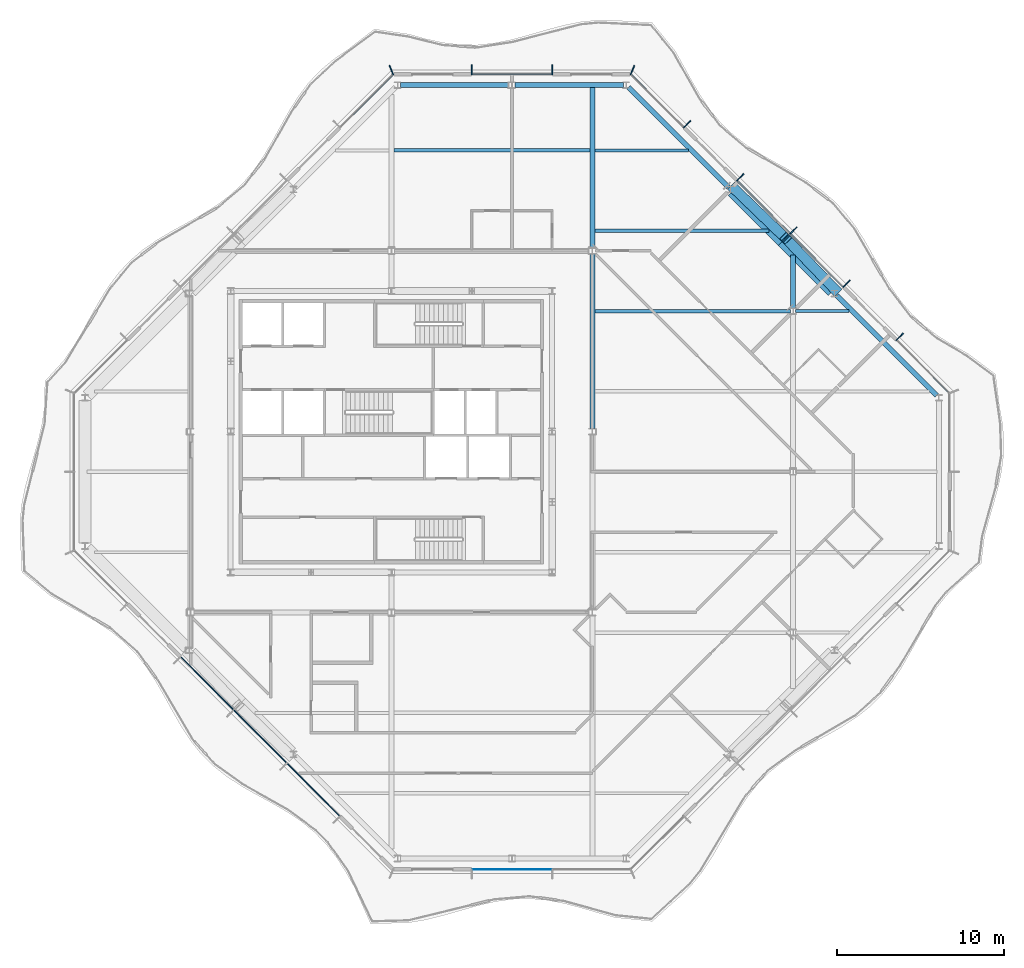
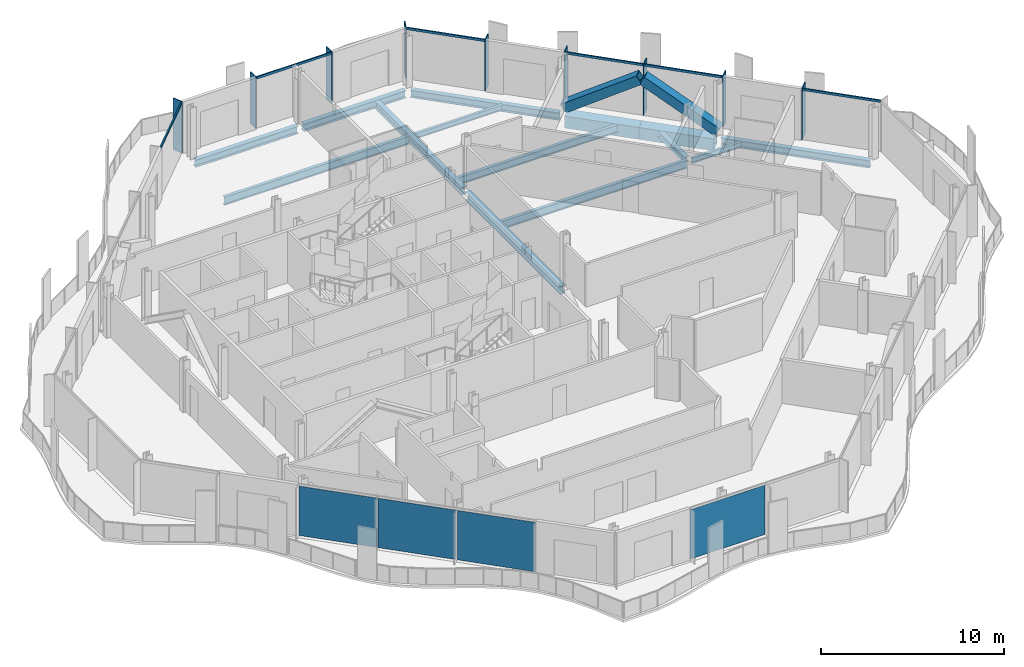
# One storey, part 5 of 16: 17 members, 14 beams, 4 plates, 5 elements without a shape of their own.
"""IFC4 building model written with IfcOpenShell, lengths in metres."""

from ifc_helpers import new_model, si_unit, direction, frame, origin, origin_2d, place, context, subcontext, project, spatial, rectangle, hollow_rectangle, i_section, extrude, material, layer, layer_set, material_profile, profile_set, type_object, element, aggregate, save


model = new_model("IFC4")

# Units and contexts
model_context = context("Model", 3, precision=1e-05, world=origin(), true_north=direction((0.0, 1.0)))
body_context = subcontext(model_context, "Body", "Model", "MODEL_VIEW")
ifc_project = project(units=[si_unit("LENGTHUNIT", "METRE"), si_unit("AREAUNIT", "SQUARE_METRE"), si_unit("VOLUMEUNIT", "CUBIC_METRE"), si_unit("PLANEANGLEUNIT", "RADIAN"), si_unit("MASSUNIT", "GRAM", prefix="KILO")], contexts=[model_context])

# Site, building, storey
site_placement = place(None, origin())
site = spatial("IfcSite", under=ifc_project, at=site_placement, CompositionType="ELEMENT")
building_placement = place(site_placement, origin())
building = spatial("IfcBuilding", under=site, at=building_placement, Name="Cairn Pilgrim Tower", CompositionType="ELEMENT")
storey_placement = place(building_placement, frame((0.0, 0.0, 288.60009765625)))
storey = spatial("IfcBuildingStorey", under=building, at=storey_placement, Name="L74", CompositionType="ELEMENT", Elevation=288.60009765625)

# Members
ifc_material_1 = material(Name="Structural steel S460M", Category="steel")
ifc_material_profile_1 = material_profile(ifc_material_1, hollow_rectangle(XDim=0.60009765625, YDim=0.60009765625, WallThickness=0.034912109375, at=origin_2d()), Name="BOX 600x600x35")
ifc_profile_set_1 = profile_set([ifc_material_profile_1], Name="Structural steel S460M")
member_type_1 = type_object("IfcMemberType", Name="BOX 600x600x35 BRACE", PredefinedType="BRACE", material=ifc_profile_set_1)
for number, where, z_axis, x_axis, name in (
    (1, (33.78759765625, 10.80224609375, 0.14990234375), (-0.59143769276, 0.613678385942, 0.52306815446), (-0.720033989027, -0.693938797478, 0.0), "XB-NE2-NE3-1"),
    (2, (27.602294921875, 16.98779296875, 0.14990234375), (0.613660799233, -0.591469196702, 0.523053164447), (0.693968270733, 0.720005582767, 0.0), "XB-NE2-NE3-2"),
):
    element("IfcMember", number, at=place(storey_placement, frame(where, z_axis=z_axis, x_axis=x_axis)), inside=storey, type_object=member_type_1, Name=name, PredefinedType="BRACE", context=body_context, shape_type="SweptSolid", body=[
        extrude(hollow_rectangle(XDim=0.60009765625, YDim=0.60009765625, WallThickness=0.034912109375, at=origin_2d()), origin(), (0.0, 0.0, 1.0), 5.03857421875),
    ])

# Beams
ifc_material_2 = material(Name="Structural steel S355J2", Category="steel")
ifc_material_profile_2 = material_profile(ifc_material_2, hollow_rectangle(XDim=0.699951171875, YDim=0.800048828125, WallThickness=0.0400390625, at=origin_2d()), Name="BOX 700x800x40")
ifc_profile_set_2 = profile_set([ifc_material_profile_2], Name="Structural steel S355J2")
beam_type_1 = type_object("IfcBeamType", Name="BOX 700x800x40 RING GIRDER", PredefinedType="SPANDREL", material=ifc_profile_set_2)
for number, where, z_axis, x_axis, name in (
    (3, (33.55126953125, 10.77587890625, -0.550048828125), (-0.707077889614, 0.707135671578, 0.0), (-0.707135671578, -0.707077889614, 0.0), "RG4-NE2-NE3-1"),
    (4, (30.563720703125, 13.763671875, -0.550048828125), (-0.707135671578, 0.707077889614, 0.0), (-0.707077889614, -0.707135671578, 0.0), "RG4-NE2-NE3-2"),
):
    element("IfcBeam", number, at=place(storey_placement, frame(where, z_axis=z_axis, x_axis=x_axis)), inside=storey, type_object=beam_type_1, Name=name, PredefinedType="SPANDREL", context=body_context, shape_type="SweptSolid", body=[
        extrude(hollow_rectangle(XDim=0.699951171875, YDim=0.800048828125, WallThickness=0.0400390625, at=origin_2d()), origin(), (0.0, 0.0, 1.0), 4.22509765625),
    ])

# Curtain wall, members
ifc_material_3 = material(Name="Aluminium alloy 6063-T6 bronze anodised with Bronze tinted laminated low-E glass 8+16+8.8", Category="aluminium")
curtain_wall_type = type_object("IfcCurtainWallType", Name="CROWN CURTAIN WALL", PredefinedType="NOTDEFINED", material=ifc_material_3)
curtain_wall_1_placement = place(storey_placement, origin())
curtain_wall_1 = element("IfcCurtainWall", 5, at=curtain_wall_1_placement, inside=storey, type_object=curtain_wall_type, Name="Crown Curtain Wall NE", PredefinedType="NOTDEFINED")
ifc_material_4 = material(Name="Aluminium alloy 6063-T6 bronze anodised", Category="aluminium")
ifc_material_profile_3 = material_profile(ifc_material_4, rectangle(XDim=0.60009765625, YDim=0.06005859375, at=origin_2d()), Name="FIN MULLION 60x600 BRONZE")
ifc_profile_set_3 = profile_set([ifc_material_profile_3], Name="Aluminium alloy 6063-T6 bronze anodised")
member_type_2 = type_object("IfcMemberType", Name="FIN MULLION 60x600 BRONZE", PredefinedType="MULLION", material=ifc_profile_set_3)
member_1_placement = place(storey_placement, frame((37.5654296875, 8.06298828125, 0.0), z_axis=(0.0, 0.0, 1.0), x_axis=(0.707106781187, 0.707106781187, 0.0)))
member_1 = element("IfcMember", 6, at=member_1_placement, type_object=member_type_2, Name="Fin mullion NE2", PredefinedType="MULLION", context=body_context, shape_type="SweptSolid", body=[
    extrude(rectangle(XDim=0.60009765625, YDim=0.06005859375, at=origin_2d()), origin(), (0.0, 0.0, 1.0), 3.449951171875),
])
member_2_placement = place(storey_placement, frame((34.3896484375, 11.238525390625, 0.0), z_axis=(0.0, 0.0, 1.0), x_axis=(0.707106781187, 0.707106781187, 0.0)))
member_2 = element("IfcMember", 7, at=member_2_placement, type_object=member_type_2, Name="Fin mullion NE3", PredefinedType="MULLION", context=body_context, shape_type="SweptSolid", body=[
    extrude(rectangle(XDim=0.60009765625, YDim=0.06005859375, at=origin_2d()), origin(), (0.0, 0.0, 1.0), 3.449951171875),
])
member_3_placement = place(storey_placement, frame((31.214111328125, 14.4140625, 0.0), z_axis=(0.0, 0.0, 1.0), x_axis=(0.707106781187, 0.707106781187, 0.0)))
member_3 = element("IfcMember", 8, at=member_3_placement, type_object=member_type_2, Name="Fin mullion NE4", PredefinedType="MULLION", context=body_context, shape_type="SweptSolid", body=[
    extrude(rectangle(XDim=0.60009765625, YDim=0.06005859375, at=origin_2d()), origin(), (0.0, 0.0, 1.0), 3.449951171875),
])
member_4_placement = place(storey_placement, frame((28.03857421875, 17.58984375, 0.0), z_axis=(0.0, 0.0, 1.0), x_axis=(0.707106781187, 0.707106781187, 0.0)))
member_4 = element("IfcMember", 9, at=member_4_placement, type_object=member_type_2, Name="Fin mullion NE5", PredefinedType="MULLION", context=body_context, shape_type="SweptSolid", body=[
    extrude(rectangle(XDim=0.60009765625, YDim=0.06005859375, at=origin_2d()), origin(), (0.0, 0.0, 1.0), 3.449951171875),
])
member_5_placement = place(storey_placement, frame((24.863037109375, 20.765380859375, 0.0), z_axis=(0.0, 0.0, 1.0), x_axis=(0.707106781187, 0.707106781187, 0.0)))
member_5 = element("IfcMember", 10, at=member_5_placement, type_object=member_type_2, Name="Fin mullion NE6", PredefinedType="MULLION", context=body_context, shape_type="SweptSolid", body=[
    extrude(rectangle(XDim=0.60009765625, YDim=0.06005859375, at=origin_2d()), origin(), (0.0, 0.0, 1.0), 3.449951171875),
])

curtain_wall_2_placement = place(storey_placement, origin())
curtain_wall_2 = element("IfcCurtainWall", 11, at=curtain_wall_2_placement, inside=storey, type_object=curtain_wall_type, Name="Crown Curtain Wall N", PredefinedType="NOTDEFINED")
member_6_placement = place(storey_placement, frame((21.599853515625, 23.99951171875, 0.0), z_axis=(0.0, 0.0, 1.0), x_axis=(0.382683432365, 0.923879532511, 0.0)))
member_6 = element("IfcMember", 12, at=member_6_placement, type_object=member_type_2, Name="Fin mullion N1", PredefinedType="MULLION", context=body_context, shape_type="SweptSolid", body=[
    extrude(rectangle(XDim=0.60009765625, YDim=0.06005859375, at=origin_2d()), origin(), (0.0, 0.0, 1.0), 3.449951171875),
])
member_7_placement = place(storey_placement, frame((16.800048828125, 24.02001953125, 0.0), z_axis=(0.0, 0.0, 1.0), x_axis=(0.0, 1.0, 0.0)))
member_7 = element("IfcMember", 13, at=member_7_placement, type_object=member_type_2, Name="Fin mullion N2", PredefinedType="MULLION", context=body_context, shape_type="SweptSolid", body=[
    extrude(rectangle(XDim=0.60009765625, YDim=0.06005859375, at=origin_2d()), origin(), (0.0, 0.0, 1.0), 3.449951171875),
])
member_8_placement = place(storey_placement, frame((12.0, 24.02001953125, 0.0), z_axis=(0.0, 0.0, 1.0), x_axis=(0.0, 1.0, 0.0)))
member_8 = element("IfcMember", 14, at=member_8_placement, type_object=member_type_2, Name="Fin mullion N3", PredefinedType="MULLION", context=body_context, shape_type="SweptSolid", body=[
    extrude(rectangle(XDim=0.60009765625, YDim=0.06005859375, at=origin_2d()), origin(), (0.0, 0.0, 1.0), 3.449951171875),
])

# Curtain wall, member
curtain_wall_3_placement = place(storey_placement, origin())
curtain_wall_3 = element("IfcCurtainWall", 15, at=curtain_wall_3_placement, inside=storey, type_object=curtain_wall_type, Name="Crown Curtain Wall NW", PredefinedType="NOTDEFINED")
member_9_placement = place(storey_placement, frame((7.2001953125, 23.99951171875, 0.0), z_axis=(0.0, 0.0, 1.0), x_axis=(-0.382683432365, 0.923879532511, 0.0)))
member_9 = element("IfcMember", 16, at=member_9_placement, type_object=member_type_2, Name="Fin mullion NW1", PredefinedType="MULLION", context=body_context, shape_type="SweptSolid", body=[
    extrude(rectangle(XDim=0.60009765625, YDim=0.06005859375, at=origin_2d()), origin(), (0.0, 0.0, 1.0), 3.449951171875),
])

# Beams
ifc_material_profile_4 = material_profile(ifc_material_2, i_section(OverallWidth=0.300048828125, OverallDepth=0.39990234375, WebThickness=0.013427734375, FlangeThickness=0.02392578125, FilletRadius=0.027099609375, at=origin_2d()), Name="HEB 400")
ifc_profile_set_4 = profile_set([ifc_material_profile_4], Name="Structural steel S355J2")
beam_type_2 = type_object("IfcBeamType", Name="HEB 400 GIRDER", PredefinedType="BEAM", material=ifc_profile_set_4)
beam_1_placement = place(storey_placement, frame((31.199951171875, 9.797119140625, -0.35009765625), z_axis=(0.0, 1.0, 0.0), x_axis=(-1.0, 0.0, 0.0)))
element("IfcBeam", 17, at=beam_1_placement, inside=storey, type_object=beam_type_2, Name="PG5-4", PredefinedType="BEAM", context=body_context, shape_type="SweptSolid", body=[
    extrude(i_section(OverallWidth=0.300048828125, OverallDepth=0.39990234375, WebThickness=0.013427734375, FlangeThickness=0.02392578125, FilletRadius=0.027099609375, at=origin_2d()), origin(), (0.0, 0.0, 1.0), 3.14794921875),
])
ifc_material_profile_5 = material_profile(ifc_material_2, i_section(OverallWidth=0.300048828125, OverallDepth=0.5, WebThickness=0.014404296875, FlangeThickness=0.028076171875, FilletRadius=0.027099609375, at=origin_2d()), Name="HEB 500")
ifc_profile_set_5 = profile_set([ifc_material_profile_5], Name="Structural steel S355J2")
beam_type_3 = type_object("IfcBeamType", Name="HEB 500 GIRDER", PredefinedType="BEAM", material=ifc_profile_set_5)
beam_2_placement = place(storey_placement, frame((19.199951171875, 13.39697265625, -0.400146484375), z_axis=(0.0, 1.0, 0.0), x_axis=(-1.0, 0.0, 0.0)))
element("IfcBeam", 18, at=beam_2_placement, inside=storey, type_object=beam_type_3, Name="PG4-4", PredefinedType="BEAM", context=body_context, shape_type="SweptSolid", body=[
    extrude(i_section(OverallWidth=0.300048828125, OverallDepth=0.5, WebThickness=0.014404296875, FlangeThickness=0.028076171875, FilletRadius=0.027099609375, at=origin_2d()), origin(), (0.0, 0.0, 1.0), 9.5830078125),
])
ifc_material_profile_6 = material_profile(ifc_material_2, i_section(OverallWidth=0.300048828125, OverallDepth=0.5, WebThickness=0.014404296875, FlangeThickness=0.028076171875, FilletRadius=0.027099609375, at=origin_2d()), Name="HEB 500")
ifc_profile_set_6 = profile_set([ifc_material_profile_6], Name="Structural steel S355J2")
beam_type_4 = type_object("IfcBeamType", Name="HEB 500 RING GIRDER", PredefinedType="SPANDREL", material=ifc_profile_set_6)
for number, where, z_axis, x_axis, name in (
    (19, (39.775634765625, 4.551513671875, -0.400146484375), (-0.707092335843, 0.707121226235, 0.0), (-0.707121226235, -0.707092335843, 0.0), "RG4-NE1-NE2"),
    (20, (27.3271484375, 17.000244140625, -0.400146484375), (-0.707121226235, 0.707092335843, 0.0), (-0.707092335843, -0.707121226235, 0.0), "RG4-NE3-N1"),
):
    element("IfcBeam", number, at=place(storey_placement, frame(where, z_axis=z_axis, x_axis=x_axis)), inside=storey, type_object=beam_type_4, Name=name, PredefinedType="SPANDREL", context=body_context, shape_type="SweptSolid", body=[
        extrude(i_section(OverallWidth=0.300048828125, OverallDepth=0.5, WebThickness=0.014404296875, FlangeThickness=0.028076171875, FilletRadius=0.027099609375, at=origin_2d()), origin(), (0.0, 0.0, 1.0), 8.45068359375),
    ])
for number, where, z_axis, x_axis, name in (
    (21, (21.05126953125, 23.10009765625, -0.400146484375), (-1.0, 0.0, 0.0), (0.0, -1.0, 0.0), "RG4-N1-N2"),
    (22, (14.22412109375, 23.10009765625, -0.400146484375), (-1.0, 0.0, 0.0), (0.0, -1.0, 0.0), "RG4-N2-NW1"),
):
    element("IfcBeam", number, at=place(storey_placement, frame(where, z_axis=z_axis, x_axis=x_axis)), inside=storey, type_object=beam_type_4, Name=name, PredefinedType="SPANDREL", context=body_context, shape_type="SweptSolid", body=[
        extrude(i_section(OverallWidth=0.300048828125, OverallDepth=0.5, WebThickness=0.014404296875, FlangeThickness=0.028076171875, FilletRadius=0.027099609375, at=origin_2d()), origin(), (0.0, 0.0, 1.0), 6.475341796875),
    ])
ifc_material_profile_7 = material_profile(ifc_material_2, i_section(OverallWidth=0.300048828125, OverallDepth=0.60009765625, WebThickness=0.015380859375, FlangeThickness=0.030029296875, FilletRadius=0.027099609375, at=origin_2d()), Name="HEB 600")
ifc_profile_set_7 = profile_set([ifc_material_profile_7], Name="Structural steel S355J2")
beam_type_5 = type_object("IfcBeamType", Name="HEB 600 GIRDER", PredefinedType="BEAM", material=ifc_profile_set_7)
beam_3_placement = place(storey_placement, frame((19.199951171875, 2.596923828125, -0.4501953125), z_axis=(0.0, 1.0, 0.0), x_axis=(-1.0, 0.0, 0.0)))
element("IfcBeam", 23, at=beam_3_placement, inside=storey, type_object=beam_type_5, Name="PG4-3", PredefinedType="BEAM", context=body_context, shape_type="SweptSolid", body=[
    extrude(i_section(OverallWidth=0.300048828125, OverallDepth=0.60009765625, WebThickness=0.015380859375, FlangeThickness=0.030029296875, FilletRadius=0.027099609375, at=origin_2d()), origin(), (0.0, 0.0, 1.0), 10.406005859375),
])
ifc_material_profile_8 = material_profile(ifc_material_2, i_section(OverallWidth=0.169921875, OverallDepth=0.360107421875, WebThickness=0.008056640625, FlangeThickness=0.0126953125, FilletRadius=0.01806640625, at=origin_2d()), Name="IPE 360")
ifc_profile_set_8 = profile_set([ifc_material_profile_8], Name="Structural steel S355J2")
beam_type_6 = type_object("IfcBeamType", Name="IPE 360 SECONDARY BEAM", PredefinedType="JOIST", material=ifc_profile_set_8)
beam_4_placement = place(storey_placement, frame((31.35009765625, 9.60009765625, -0.330078125), z_axis=(1.0, 0.0, 0.0), x_axis=(0.0, 1.0, 0.0)))
element("IfcBeam", 24, at=beam_4_placement, inside=storey, type_object=beam_type_6, Name="SB7-2", PredefinedType="JOIST", context=body_context, shape_type="SweptSolid", body=[
    extrude(i_section(OverallWidth=0.169921875, OverallDepth=0.360107421875, WebThickness=0.008056640625, FlangeThickness=0.0126953125, FilletRadius=0.01806640625, at=origin_2d()), origin(), (0.0, 0.0, 1.0), 3.195068359375),
])
beam_5_placement = place(storey_placement, frame((19.35009765625, 19.199951171875, -0.330078125), z_axis=(1.0, 0.0, 0.0), x_axis=(0.0, 1.0, 0.0)))
element("IfcBeam", 25, at=beam_5_placement, inside=storey, type_object=beam_type_6, Name="SB9-3", PredefinedType="JOIST", context=body_context, shape_type="SweptSolid", body=[
    extrude(i_section(OverallWidth=0.169921875, OverallDepth=0.360107421875, WebThickness=0.008056640625, FlangeThickness=0.0126953125, FilletRadius=0.01806640625, at=origin_2d()), origin(), (0.0, 0.0, 1.0), 5.594970703125),
])
ifc_material_profile_9 = material_profile(ifc_material_2, i_section(OverallWidth=0.199951171875, OverallDepth=0.5, WebThickness=0.01025390625, FlangeThickness=0.01611328125, FilletRadius=0.02099609375, at=origin_2d()), Name="IPE 500")
ifc_profile_set_9 = profile_set([ifc_material_profile_9], Name="Structural steel S355J2")
beam_type_7 = type_object("IfcBeamType", Name="IPE 500 SECONDARY BEAM", PredefinedType="JOIST", material=ifc_profile_set_9)
beam_6_placement = place(storey_placement, frame((19.35009765625, 14.39990234375, -0.400146484375), z_axis=(1.0, 0.0, 0.0), x_axis=(0.0, 1.0, 0.0)))
element("IfcBeam", 26, at=beam_6_placement, inside=storey, type_object=beam_type_7, Name="SB8-1", PredefinedType="JOIST", context=body_context, shape_type="SweptSolid", body=[
    extrude(i_section(OverallWidth=0.199951171875, OverallDepth=0.5, WebThickness=0.01025390625, FlangeThickness=0.01611328125, FilletRadius=0.02099609375, at=origin_2d()), origin(), (0.0, 0.0, 1.0), 10.39501953125),
])
ifc_material_profile_10 = material_profile(ifc_material_2, i_section(OverallWidth=0.2099609375, OverallDepth=0.550048828125, WebThickness=0.010986328125, FlangeThickness=0.01708984375, FilletRadius=0.02392578125, at=origin_2d()), Name="IPE 550")
ifc_profile_set_10 = profile_set([ifc_material_profile_10], Name="Structural steel S355J2")
beam_type_8 = type_object("IfcBeamType", Name="IPE 550 SECONDARY BEAM", PredefinedType="JOIST", material=ifc_profile_set_10)
for number, where, z_axis, x_axis, name in (
    (27, (19.35009765625, 9.60009765625, -0.425048828125), (1.0, 0.0, 0.0), (0.0, 1.0, 0.0), "SB7-1"),
    (28, (7.35009765625, 19.199951171875, -0.425048828125), (1.0, 0.0, 0.0), (0.0, 1.0, 0.0), "SB9-2"),
):
    element("IfcBeam", number, at=place(storey_placement, frame(where, z_axis=z_axis, x_axis=x_axis)), inside=storey, type_object=beam_type_8, Name=name, PredefinedType="JOIST", context=body_context, shape_type="SweptSolid", body=[
        extrude(i_section(OverallWidth=0.2099609375, OverallDepth=0.550048828125, WebThickness=0.010986328125, FlangeThickness=0.01708984375, FilletRadius=0.02392578125, at=origin_2d()), origin(), (0.0, 0.0, 1.0), 11.699951171875),
    ])

# Member
ifc_material_profile_11 = material_profile(ifc_material_4, rectangle(XDim=0.080078125, YDim=0.14990234375, at=origin_2d()), Name="TRANSOM 80x150 BRONZE")
ifc_profile_set_11 = profile_set([ifc_material_profile_11], Name="Aluminium alloy 6063-T6 bronze anodised")
member_type_3 = type_object("IfcMemberType", Name="TRANSOM 80x150 BRONZE", PredefinedType="USERDEFINED", material=ifc_profile_set_11)
member_10_placement = place(storey_placement, frame((40.521728515625, 4.724609375, 3.375), z_axis=(-0.707106781187, 0.707106781187, 0.0), x_axis=(-0.707106781187, -0.707106781187, 0.0)))
member_10 = element("IfcMember", 29, at=member_10_placement, type_object=member_type_3, Name="Transom NE1", ObjectType="TRANSOM", PredefinedType="USERDEFINED", context=body_context, shape_type="SweptSolid", body=[
    extrude(rectangle(XDim=0.080078125, YDim=0.14990234375, at=origin_2d()), origin(), (0.0, 0.0, 1.0), 4.421142578125),
])

member_11_placement = place(storey_placement, frame((34.177490234375, 11.06884765625, 3.375), z_axis=(-0.707106781187, 0.707106781187, 0.0), x_axis=(-0.707106781187, -0.707106781187, 0.0)))
member_11 = element("IfcMember", 30, at=member_11_placement, type_object=member_type_3, Name="Transom NE3", ObjectType="TRANSOM", PredefinedType="USERDEFINED", context=body_context, shape_type="SweptSolid", body=[
    extrude(rectangle(XDim=0.080078125, YDim=0.14990234375, at=origin_2d()), origin(), (0.0, 0.0, 1.0), 4.430908203125),
])

member_12_placement = place(storey_placement, frame((31.001953125, 14.244384765625, 3.375), z_axis=(-0.707079231393, 0.707134329907, 0.0), x_axis=(-0.707134329907, -0.707079231393, 0.0)))
member_12 = element("IfcMember", 31, at=member_12_placement, type_object=member_type_3, Name="Transom NE4", ObjectType="TRANSOM", PredefinedType="USERDEFINED", context=body_context, shape_type="SweptSolid", body=[
    extrude(rectangle(XDim=0.080078125, YDim=0.14990234375, at=origin_2d()), origin(), (0.0, 0.0, 1.0), 4.430908203125),
])

member_13_placement = place(storey_placement, frame((24.65087890625, 20.595703125, 3.375), z_axis=(-0.707134392299, 0.707079168996, 0.0), x_axis=(-0.707079168996, -0.707134392299, 0.0)))
member_13 = element("IfcMember", 32, at=member_13_placement, type_object=member_type_3, Name="Transom NE6", ObjectType="TRANSOM", PredefinedType="USERDEFINED", context=body_context, shape_type="SweptSolid", body=[
    extrude(rectangle(XDim=0.080078125, YDim=0.14990234375, at=origin_2d()), origin(), (0.0, 0.0, 1.0), 4.4208984375),
])

aggregate(curtain_wall_1, [member_1, member_2, member_3, member_4, member_5, member_10, member_11, member_12, member_13])

member_14_placement = place(storey_placement, frame((16.77001953125, 23.75, 3.375), z_axis=(-1.0, 0.0, 0.0), x_axis=(0.0, -1.0, 0.0)))
member_14 = element("IfcMember", 33, at=member_14_placement, type_object=member_type_3, Name="Transom N2", ObjectType="TRANSOM", PredefinedType="USERDEFINED", context=body_context, shape_type="SweptSolid", body=[
    extrude(rectangle(XDim=0.080078125, YDim=0.14990234375, at=origin_2d()), origin(), (0.0, 0.0, 1.0), 4.739990234375),
])

aggregate(curtain_wall_2, [member_6, member_7, member_8, member_14])

member_15_placement = place(storey_placement, frame((7.275390625, 23.7216796875, 3.375), z_axis=(-0.707134392299, -0.707079168996, 0.0), x_axis=(0.707079168996, -0.707134392299, 0.0)))
member_15 = element("IfcMember", 34, at=member_15_placement, type_object=member_type_3, Name="Transom NW1", ObjectType="TRANSOM", PredefinedType="USERDEFINED", context=body_context, shape_type="SweptSolid", body=[
    extrude(rectangle(XDim=0.080078125, YDim=0.14990234375, at=origin_2d()), origin(), (0.0, 0.0, 1.0), 4.4208984375),
])

aggregate(curtain_wall_3, [member_9, member_15])

# Curtain wall, plates
curtain_wall_4_placement = place(storey_placement, origin())
curtain_wall_4 = element("IfcCurtainWall", 35, at=curtain_wall_4_placement, inside=storey, type_object=curtain_wall_type, Name="Crown Curtain Wall SW", PredefinedType="NOTDEFINED")
ifc_material_5 = material(Name="Bronze anodised aluminium spandrel panel with mineral wool insulation", Category="aluminium")
ifc_layer_1 = layer(ifc_material_5, 0.06005859375)
ifc_layer_set_1 = layer_set([ifc_layer_1], Name="SPANDREL PANEL 4431x3300")
plate_type_1 = type_object("IfcPlateType", Name="SPANDREL PANEL 4431x3300", PredefinedType="CURTAIN_PANEL", material=ifc_layer_set_1)
plate_1_placement = place(storey_placement, frame((-3.81103515625, -12.635498046875, 0.0), z_axis=(0.0, 0.0, 1.0), x_axis=(0.707106781187, -0.707106781187, 0.0)))
plate_1 = element("IfcPlate", 36, at=plate_1_placement, type_object=plate_type_1, Name="Spandrel Panel SW3-1", PredefinedType="CURTAIN_PANEL", context=body_context, shape_type="SweptSolid", body=[
    extrude(rectangle(XDim=4.430908203125, YDim=0.06005859375, at=origin_2d()), origin(), (0.0, 0.0, 1.0), 3.300048828125),
])
plate_2_placement = place(storey_placement, frame((-0.635498046875, -15.81103515625, 0.0), z_axis=(0.0, 0.0, 1.0), x_axis=(0.707106781187, -0.707106781187, 0.0)))
plate_2 = element("IfcPlate", 37, at=plate_2_placement, type_object=plate_type_1, Name="Spandrel Panel SW4-1", PredefinedType="CURTAIN_PANEL", context=body_context, shape_type="SweptSolid", body=[
    extrude(rectangle(XDim=4.430908203125, YDim=0.06005859375, at=origin_2d()), origin(), (0.0, 0.0, 1.0), 3.300048828125),
])
plate_3_placement = place(storey_placement, frame((2.540283203125, -18.986572265625, 0.0), z_axis=(0.0, 0.0, 1.0), x_axis=(0.707106781187, -0.707106781187, 0.0)))
plate_3 = element("IfcPlate", 38, at=plate_3_placement, type_object=plate_type_1, Name="Spandrel Panel SW5-1", PredefinedType="CURTAIN_PANEL", context=body_context, shape_type="SweptSolid", body=[
    extrude(rectangle(XDim=4.430908203125, YDim=0.06005859375, at=origin_2d()), origin(), (0.0, 0.0, 1.0), 3.300048828125),
])
aggregate(curtain_wall_4, [plate_1, plate_2, plate_3])

# Curtain wall, plate
curtain_wall_5_placement = place(storey_placement, origin())
curtain_wall_5 = element("IfcCurtainWall", 39, at=curtain_wall_5_placement, inside=storey, type_object=curtain_wall_type, Name="Crown Curtain Wall S", PredefinedType="NOTDEFINED")
ifc_material_6 = material(Name="Bronze tinted laminated low-E glass 8+16+8.8", Category="glass")
ifc_layer_2 = layer(ifc_material_6, 0.033935546875)
ifc_layer_set_2 = layer_set([ifc_layer_2], Name="VISION GLAZING 4740x3300")
plate_type_2 = type_object("IfcPlateType", Name="VISION GLAZING 4740x3300", PredefinedType="CURTAIN_PANEL", material=ifc_layer_set_2)
plate_4_placement = place(storey_placement, frame((14.39990234375, -23.75, 0.0), z_axis=(0.0, 0.0, 1.0), x_axis=(1.0, 0.0, 0.0)))
plate_4 = element("IfcPlate", 40, at=plate_4_placement, type_object=plate_type_2, Name="Vision Glazing S2-1", PredefinedType="CURTAIN_PANEL", context=body_context, shape_type="SweptSolid", body=[
    extrude(rectangle(XDim=4.739990234375, YDim=0.033935546875, at=origin_2d()), origin(), (0.0, 0.0, 1.0), 3.300048828125),
])
aggregate(curtain_wall_5, [plate_4])

save(model, "model.ifc")
